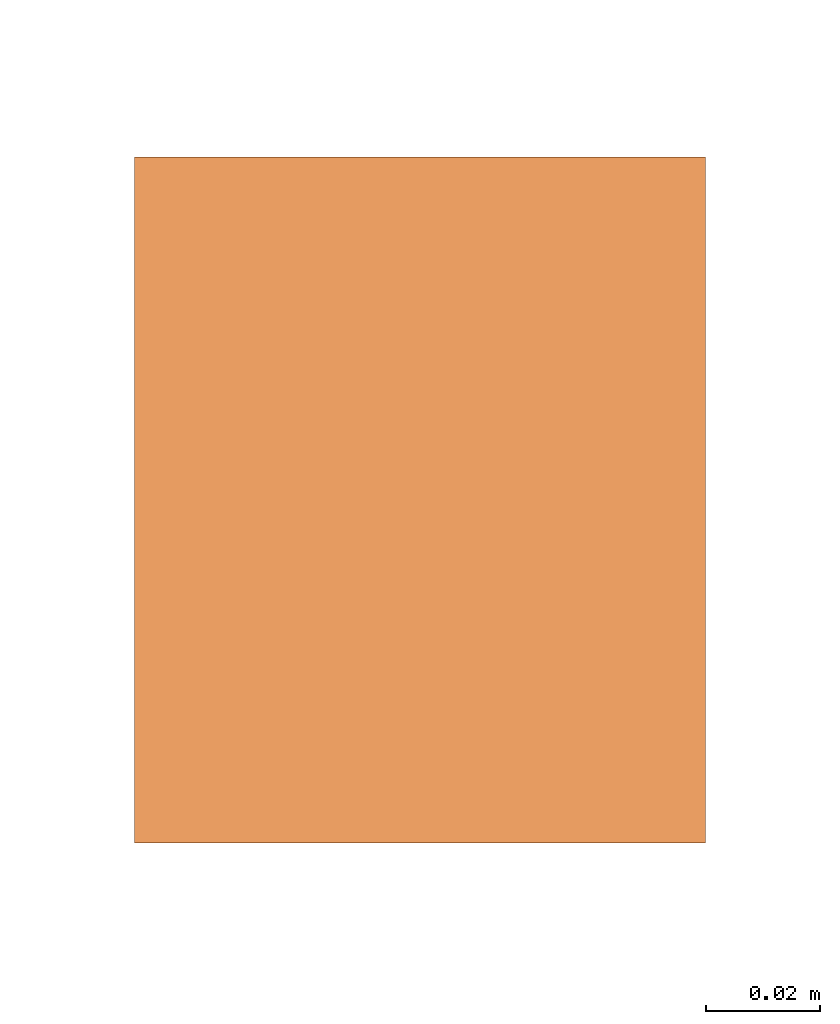
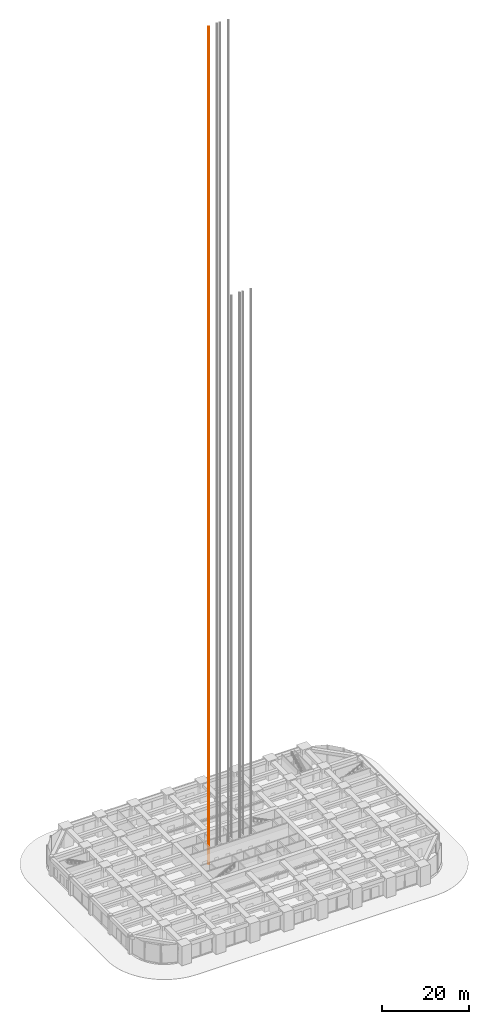
# One storey, part 49 of 56: 1 proxy.
"""IFC4 building model written with IfcOpenShell, lengths in metres."""

from ifc_helpers import new_model, si_unit, direction, frame, origin, origin_2d, place, context, subcontext, project, spatial, rectangle, extrude, element, save


model = new_model("IFC4")

# Units and contexts
model_context = context("Model", 3, precision=1e-05, world=origin(), true_north=direction((0.0, 1.0)))
body_context = subcontext(model_context, "Body", "Model", "MODEL_VIEW")
ifc_project = project(units=[si_unit("LENGTHUNIT", "METRE"), si_unit("AREAUNIT", "SQUARE_METRE"), si_unit("VOLUMEUNIT", "CUBIC_METRE"), si_unit("PLANEANGLEUNIT", "RADIAN"), si_unit("MASSUNIT", "GRAM", prefix="KILO")], contexts=[model_context])

# Site, building, storey
site_placement = place(None, origin())
site = spatial("IfcSite", under=ifc_project, at=site_placement, CompositionType="ELEMENT")
building_placement = place(site_placement, origin())
building = spatial("IfcBuilding", under=site, at=building_placement, Name="Zorevar Civic Tower", CompositionType="ELEMENT")
storey_placement = place(building_placement, origin())
storey = spatial("IfcBuildingStorey", under=building, at=storey_placement, Name="L00", CompositionType="ELEMENT", Elevation=0.0)

# Proxy
proxy_placement = place(storey_placement, frame((24.39990234375, 30.89990234375, 0.0), z_axis=(0.0, 0.0, 1.0), x_axis=(1.0, 0.0, 0.0)))
element("IfcBuildingElementProxy", 1, at=proxy_placement, inside=storey, Name="Passenger lift LH2 guide rail 1", PredefinedType="NOTDEFINED", context=body_context, shape_type="SweptSolid", body=[
    extrude(rectangle(XDim=0.10009765625, YDim=0.1201171875, at=origin_2d()), origin(), (0.0, 0.0, 1.0), 233.699951171875),
])

save(model, "model.ifc")
